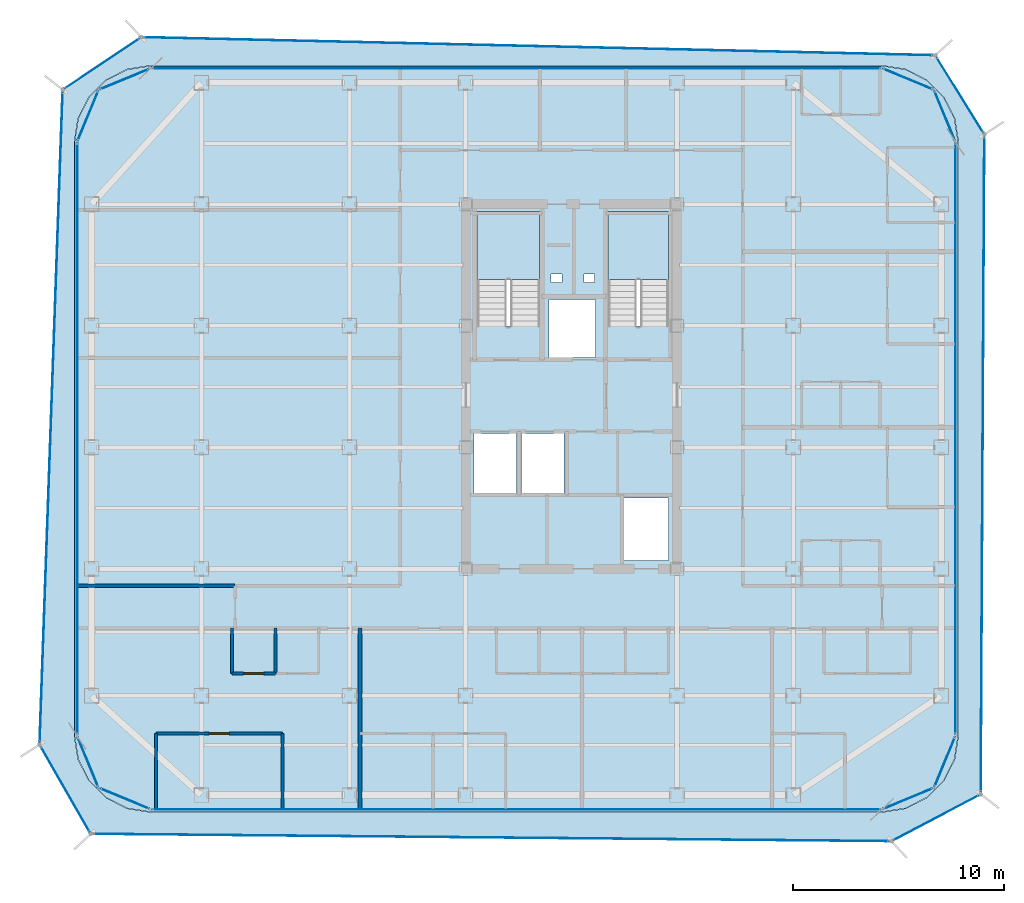
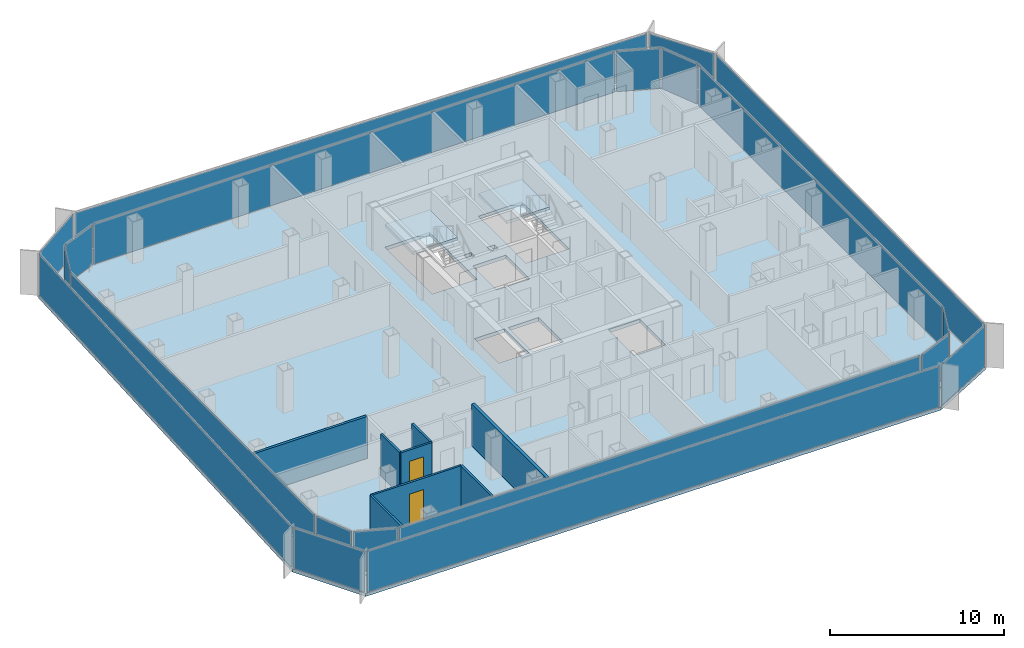
# One storey, part 9 of 16: 20 plates, 8 walls, 4 slabs, 2 doors, 2 openings, 22 elements without a shape of their own.
"""IFC4 building model written with IfcOpenShell, lengths in metres."""

from ifc_helpers import new_model, si_unit, direction, frame, frame_2d, origin, origin_2d, place, context, subcontext, project, spatial, polyline, rectangle, outline, extrude, source, transform, mapped, material, layer, layer_set, type_object, element, fill, aggregate, save


model = new_model("IFC4")

# Units and contexts
model_context = context("Model", 3, precision=1e-05, world=origin(), true_north=direction((0.0, 1.0)))
body_context = subcontext(model_context, "Body", "Model", "MODEL_VIEW")
ifc_project = project(units=[si_unit("LENGTHUNIT", "METRE"), si_unit("AREAUNIT", "SQUARE_METRE"), si_unit("VOLUMEUNIT", "CUBIC_METRE"), si_unit("PLANEANGLEUNIT", "RADIAN"), si_unit("MASSUNIT", "GRAM", prefix="KILO")], contexts=[model_context])

# Site, building, storey
site_placement = place(None, origin())
site = spatial("IfcSite", under=ifc_project, at=site_placement, CompositionType="ELEMENT")
building_placement = place(site_placement, origin())
building = spatial("IfcBuilding", under=site, at=building_placement, Name="Kolveth Station Tower", CompositionType="ELEMENT")
storey_placement = place(building_placement, frame((0.0, 0.0, 178.5)))
storey = spatial("IfcBuildingStorey", under=building, at=storey_placement, Name="L50", CompositionType="ELEMENT", Elevation=178.5)

# Slab
ifc_material_1 = material(Name="Concrete C40/50", Category="concrete")
ifc_layer_1 = layer(ifc_material_1, 0.25)
ifc_layer_set_1 = layer_set([ifc_layer_1], Name="Concrete C40/50")
slab_type_1 = type_object("IfcSlabType", Name="Slab_SF-250", PredefinedType="FLOOR", material=ifc_layer_set_1)
slab_1_placement = place(storey_placement, frame((0.0, 0.0, -0.25)))
element("IfcSlab", 1, at=slab_1_placement, inside=storey, type_object=slab_type_1, Name="L50 Tower Structural Floor Slab", PredefinedType="FLOOR", context=body_context, shape_type="SweptSolid", body=[
    extrude(outline(polyline([(38.199951171875, 0.0), (39.3125, 0.17626953125), (40.31591796875, 0.6875), (41.112548828125, 1.48388671875), (41.623779296875, 2.487548828125), (41.800048828125, 3.60009765625), (41.800048828125, 31.699951171875), (41.623779296875, 32.8125), (41.112548828125, 33.81591796875), (40.31591796875, 34.612548828125), (39.3125, 35.123779296875), (38.199951171875, 35.300048828125), (3.60009765625, 35.300048828125), (2.487548828125, 35.123779296875), (1.48388671875, 34.612548828125), (0.6875, 33.81591796875), (0.17626953125, 32.8125), (0.0, 31.699951171875), (0.0, 3.60009765625), (0.17626953125, 2.487548828125), (0.6875, 1.48388671875), (1.48388671875, 0.6875), (2.487548828125, 0.17626953125), (3.60009765625, 0.0), (38.199951171875, 0.0)]), holes=[polyline([(19.0400390625, 22.985107421875), (22.0, 22.985107421875), (22.0, 28.39990234375), (19.0400390625, 28.39990234375), (19.0400390625, 22.985107421875)]), polyline([(25.239990234375, 22.985107421875), (28.10009765625, 22.985107421875), (28.10009765625, 28.39990234375), (25.239990234375, 28.39990234375), (25.239990234375, 22.985107421875)]), polyline([(18.89990234375, 15.10009765625), (20.89990234375, 15.10009765625), (20.89990234375, 17.89990234375), (18.89990234375, 17.89990234375), (18.89990234375, 15.10009765625)]), polyline([(21.14990234375, 15.10009765625), (23.14990234375, 15.10009765625), (23.14990234375, 17.89990234375), (21.14990234375, 17.89990234375), (21.14990234375, 15.10009765625)]), polyline([(22.449951171875, 21.5), (24.64990234375, 21.5), (24.64990234375, 24.25), (22.449951171875, 24.25), (22.449951171875, 21.5)]), polyline([(26.0, 11.89990234375), (28.10009765625, 11.89990234375), (28.10009765625, 14.85009765625), (26.0, 14.85009765625), (26.0, 11.89990234375)]), polyline([(22.550048828125, 25.050048828125), (23.050048828125, 25.050048828125), (23.050048828125, 25.449951171875), (22.550048828125, 25.449951171875), (22.550048828125, 25.050048828125)]), polyline([(24.10009765625, 25.050048828125), (24.60009765625, 25.050048828125), (24.60009765625, 25.449951171875), (24.10009765625, 25.449951171875), (24.10009765625, 25.050048828125)])]), origin(), (0.0, 0.0, 1.0), 0.25),
])

# Stair, slab
stair_type_1 = type_object("IfcStairType", Name="Stair_ST2", PredefinedType="HALF_TURN_STAIR", material=ifc_material_1)
stair_1_placement = place(storey_placement, origin())
stair_1 = element("IfcStair", 2, at=stair_1_placement, inside=storey, type_object=stair_type_1, Name="L50 Tower Exit Stair ST2", PredefinedType="HALF_TURN_STAIR")
ifc_layer_2 = layer(ifc_material_1, 0.18994140625)
ifc_layer_set_2 = layer_set([ifc_layer_2], Name="Concrete C40/50")
slab_type_2 = type_object("IfcSlabType", Name="Slab_SL-190", PredefinedType="LANDING", material=ifc_layer_set_2)
slab_2_placement = place(storey_placement, frame((0.0, 0.0, 1.39990234375)))
slab_2 = element("IfcSlab", 3, at=slab_2_placement, type_object=slab_type_2, Name="ST2 landing 1", PredefinedType="LANDING", context=body_context, shape_type="SweptSolid", body=[
    extrude(outline(polyline([(28.10009765625, 25.18994140625), (28.10009765625, 28.39990234375), (25.239990234375, 28.39990234375), (25.239990234375, 25.18994140625), (28.10009765625, 25.18994140625)])), origin(), (0.0, 0.0, 1.0), 0.2001953125),
])
aggregate(stair_1, [slab_2])

stair_type_2 = type_object("IfcStairType", Name="Stair_ST1", PredefinedType="HALF_TURN_STAIR", material=ifc_material_1)
stair_2_placement = place(storey_placement, origin())
stair_2 = element("IfcStair", 4, at=stair_2_placement, inside=storey, type_object=stair_type_2, Name="L50 Tower Exit Stair ST1", PredefinedType="HALF_TURN_STAIR")
ifc_layer_3 = layer(ifc_material_1, 0.205078125)
ifc_layer_set_3 = layer_set([ifc_layer_3], Name="Concrete C40/50")
slab_type_3 = type_object("IfcSlabType", Name="Slab_SL-205", PredefinedType="LANDING", material=ifc_layer_set_3)
slab_3_placement = place(storey_placement, frame((0.0, 0.0, 1.39990234375)))
slab_3 = element("IfcSlab", 5, at=slab_3_placement, type_object=slab_type_3, Name="ST1 landing 1", PredefinedType="LANDING", context=body_context, shape_type="SweptSolid", body=[
    extrude(outline(polyline([(22.0, 25.18994140625), (22.0, 28.39990234375), (19.0400390625, 28.39990234375), (19.0400390625, 25.18994140625), (22.0, 25.18994140625)])), origin(), (0.0, 0.0, 1.0), 0.2001953125),
])
aggregate(stair_2, [slab_3])

# Slab
ifc_layer_4 = layer(ifc_material_1, 0.2099609375)
ifc_layer_set_4 = layer_set([ifc_layer_4], Name="Concrete C40/50")
slab_type_4 = type_object("IfcSlabType", Name="Slab_ST-210", PredefinedType="FLOOR", material=ifc_layer_set_4)
slab_4_placement = place(storey_placement, frame((0.0, 0.0, -0.2099609375)))
element("IfcSlab", 6, at=slab_4_placement, inside=storey, type_object=slab_type_4, Name="L50 Double-Skin Cavity Structural Ledger Ring", PredefinedType="FLOOR", context=body_context, shape_type="SweptSolid", body=[
    extrude(outline(polyline([(0.768798828125, -1.038818359375), (-1.654296875, 3.189208984375), (-0.5595703125, 34.170166015625), (3.158203125, 36.651611328125), (40.721435546875, 35.79638671875), (43.04541015625, 32.059814453125), (42.875244140625, 0.83349609375), (38.64599609375, -1.387451171875), (0.768798828125, -1.038818359375)]), holes=[polyline([(38.202392578125, -0.014892578125), (39.314697265625, 0.161376953125), (39.3193359375, 0.162841796875), (40.32275390625, 0.674072265625), (40.32666015625, 0.677001953125), (41.123046875, 1.473388671875), (41.1259765625, 1.477294921875), (41.63720703125, 2.480712890625), (41.638671875, 2.485107421875), (41.814697265625, 3.59765625), (41.81494140625, 3.60009765625), (41.81494140625, 31.699951171875), (41.814697265625, 31.702392578125), (41.638671875, 32.814697265625), (41.63720703125, 32.8193359375), (41.1259765625, 33.82275390625), (41.123046875, 33.82666015625), (40.32666015625, 34.623046875), (40.32275390625, 34.6259765625), (39.3193359375, 35.13720703125), (39.314697265625, 35.138671875), (38.202392578125, 35.314697265625), (38.199951171875, 35.31494140625), (3.60009765625, 35.31494140625), (3.59765625, 35.314697265625), (2.485107421875, 35.138671875), (2.480712890625, 35.13720703125), (1.477294921875, 34.6259765625), (1.473388671875, 34.623046875), (0.677001953125, 33.82666015625), (0.674072265625, 33.82275390625), (0.162841796875, 32.8193359375), (0.161376953125, 32.814697265625), (-0.014892578125, 31.702392578125), (-0.014892578125, 31.699951171875), (-0.014892578125, 3.60009765625), (-0.014892578125, 3.59765625), (0.161376953125, 2.485107421875), (0.162841796875, 2.480712890625), (0.674072265625, 1.477294921875), (0.677001953125, 1.473388671875), (1.473388671875, 0.677001953125), (1.477294921875, 0.674072265625), (2.480712890625, 0.162841796875), (2.485107421875, 0.161376953125), (3.59765625, -0.014892578125), (3.60009765625, -0.014892578125), (38.199951171875, -0.014892578125), (38.202392578125, -0.014892578125)])]), origin(), (0.0, 0.0, 1.0), 0.2099609375),
])

# Curtain wall, plate
ifc_material_2 = material(Name="Aluminium 6063-T6 and low-E dark glass", Category="aluminium")
ifc_layer_5 = layer(ifc_material_2, 0.18994140625)
ifc_layer_set_5 = layer_set([ifc_layer_5], Name="Aluminium 6063-T6 and low-E dark glass")
curtain_wall_type_1 = type_object("IfcCurtainWallType", Name="CurtainWall_CW-Z2", PredefinedType="NOTDEFINED", material=ifc_layer_set_5)
curtain_wall_1_placement = place(storey_placement, origin())
curtain_wall_1 = element("IfcCurtainWall", 7, at=curtain_wall_1_placement, inside=storey, type_object=curtain_wall_type_1, Name="L50 Inner Thermal Curtain Wall 1", PredefinedType="NOTDEFINED")
ifc_material_3 = material(Name="Architectural low-E dark glass", Category="glass")
ifc_layer_6 = layer(ifc_material_3, 0.0380859375)
ifc_layer_set_6 = layer_set([ifc_layer_6], Name="Architectural low-E dark glass")
plate_type_1 = type_object("IfcPlateType", Name="Panel_GL2", PredefinedType="CURTAIN_PANEL", material=ifc_layer_set_6)
shared_shape_1 = source(origin(), body_context, "Body", "SweptSolid", [
    extrude(rectangle(XDim=2.517578125, YDim=0.0380859375, at=origin_2d()), origin(), (0.0, 0.0, 1.0), 2.803955078125),
])
plate_1_placement = place(storey_placement, frame((39.430419921875, 0.629638671875, 0.0732421875), z_axis=(0.0, 0.0, 1.0), x_axis=(0.923873600544, 0.382697753087, 0.0)))
plate_1 = element("IfcPlate", 8, at=plate_1_placement, type_object=plate_type_1, Name="CW-Z2 panel 1.1", PredefinedType="CURTAIN_PANEL", context=body_context, shape_type="MappedRepresentation", body=[
    mapped(shared_shape_1, transform((0.0, 0.0, 0.0), x_axis=(1.0, 0.0, 0.0), y_axis=(0.0, 1.0, 0.0), z_axis=(0.0, 0.0, 1.0), scale=1.0)),
])
aggregate(curtain_wall_1, [plate_1])

curtain_wall_2_placement = place(storey_placement, origin())
curtain_wall_2 = element("IfcCurtainWall", 9, at=curtain_wall_2_placement, inside=storey, type_object=curtain_wall_type_1, Name="L50 Inner Thermal Curtain Wall 2", PredefinedType="NOTDEFINED")
plate_2_placement = place(storey_placement, frame((41.17041015625, 2.36962890625, 0.0732421875), z_axis=(0.0, 0.0, 1.0), x_axis=(0.382697753087, 0.923873600544, 0.0)))
plate_2 = element("IfcPlate", 10, at=plate_2_placement, type_object=plate_type_1, Name="CW-Z2 panel 1.1", PredefinedType="CURTAIN_PANEL", context=body_context, shape_type="MappedRepresentation", body=[
    mapped(shared_shape_1, transform((0.0, 0.0, 0.0), x_axis=(1.0, 0.0, 0.0), y_axis=(0.0, 1.0, 0.0), z_axis=(0.0, 0.0, 1.0), scale=1.0)),
])
aggregate(curtain_wall_2, [plate_2])

curtain_wall_3_placement = place(storey_placement, origin())
curtain_wall_3 = element("IfcCurtainWall", 11, at=curtain_wall_3_placement, inside=storey, type_object=curtain_wall_type_1, Name="L50 Inner Thermal Curtain Wall 4", PredefinedType="NOTDEFINED")
plate_3_placement = place(storey_placement, frame((41.17041015625, 32.930419921875, 0.0732421875), z_axis=(0.0, 0.0, 1.0), x_axis=(-0.382697753087, 0.923873600544, 0.0)))
plate_3 = element("IfcPlate", 12, at=plate_3_placement, type_object=plate_type_1, Name="CW-Z2 panel 1.1", PredefinedType="CURTAIN_PANEL", context=body_context, shape_type="MappedRepresentation", body=[
    mapped(shared_shape_1, transform((0.0, 0.0, 0.0), x_axis=(1.0, 0.0, 0.0), y_axis=(0.0, 1.0, 0.0), z_axis=(0.0, 0.0, 1.0), scale=1.0)),
])
aggregate(curtain_wall_3, [plate_3])

curtain_wall_4_placement = place(storey_placement, origin())
curtain_wall_4 = element("IfcCurtainWall", 13, at=curtain_wall_4_placement, inside=storey, type_object=curtain_wall_type_1, Name="L50 Inner Thermal Curtain Wall 5", PredefinedType="NOTDEFINED")
plate_4_placement = place(storey_placement, frame((39.430419921875, 34.67041015625, 0.0732421875), z_axis=(0.0, 0.0, 1.0), x_axis=(-0.923873600544, 0.382697753087, 0.0)))
plate_4 = element("IfcPlate", 14, at=plate_4_placement, type_object=plate_type_1, Name="CW-Z2 panel 1.1", PredefinedType="CURTAIN_PANEL", context=body_context, shape_type="MappedRepresentation", body=[
    mapped(shared_shape_1, transform((0.0, 0.0, 0.0), x_axis=(1.0, 0.0, 0.0), y_axis=(0.0, 1.0, 0.0), z_axis=(0.0, 0.0, 1.0), scale=1.0)),
])
aggregate(curtain_wall_4, [plate_4])

curtain_wall_5_placement = place(storey_placement, origin())
curtain_wall_5 = element("IfcCurtainWall", 15, at=curtain_wall_5_placement, inside=storey, type_object=curtain_wall_type_1, Name="L50 Inner Thermal Curtain Wall 7", PredefinedType="NOTDEFINED")
plate_5_placement = place(storey_placement, frame((2.36962890625, 34.67041015625, 0.0732421875), z_axis=(0.0, 0.0, 1.0), x_axis=(-0.923873600544, -0.382697753087, 0.0)))
plate_5 = element("IfcPlate", 16, at=plate_5_placement, type_object=plate_type_1, Name="CW-Z2 panel 1.1", PredefinedType="CURTAIN_PANEL", context=body_context, shape_type="MappedRepresentation", body=[
    mapped(shared_shape_1, transform((0.0, 0.0, 0.0), x_axis=(1.0, 0.0, 0.0), y_axis=(0.0, 1.0, 0.0), z_axis=(0.0, 0.0, 1.0), scale=1.0)),
])
aggregate(curtain_wall_5, [plate_5])

curtain_wall_6_placement = place(storey_placement, origin())
curtain_wall_6 = element("IfcCurtainWall", 17, at=curtain_wall_6_placement, inside=storey, type_object=curtain_wall_type_1, Name="L50 Inner Thermal Curtain Wall 8", PredefinedType="NOTDEFINED")
plate_6_placement = place(storey_placement, frame((0.629638671875, 32.930419921875, 0.0732421875), z_axis=(0.0, 0.0, 1.0), x_axis=(-0.382697753087, -0.923873600544, 0.0)))
plate_6 = element("IfcPlate", 18, at=plate_6_placement, type_object=plate_type_1, Name="CW-Z2 panel 1.1", PredefinedType="CURTAIN_PANEL", context=body_context, shape_type="MappedRepresentation", body=[
    mapped(shared_shape_1, transform((0.0, 0.0, 0.0), x_axis=(1.0, 0.0, 0.0), y_axis=(0.0, 1.0, 0.0), z_axis=(0.0, 0.0, 1.0), scale=1.0)),
])
aggregate(curtain_wall_6, [plate_6])

curtain_wall_7_placement = place(storey_placement, origin())
curtain_wall_7 = element("IfcCurtainWall", 19, at=curtain_wall_7_placement, inside=storey, type_object=curtain_wall_type_1, Name="L50 Inner Thermal Curtain Wall 10", PredefinedType="NOTDEFINED")
plate_7_placement = place(storey_placement, frame((0.629638671875, 2.36962890625, 0.0732421875), z_axis=(0.0, 0.0, 1.0), x_axis=(0.382697753087, -0.923873600544, 0.0)))
plate_7 = element("IfcPlate", 20, at=plate_7_placement, type_object=plate_type_1, Name="CW-Z2 panel 1.1", PredefinedType="CURTAIN_PANEL", context=body_context, shape_type="MappedRepresentation", body=[
    mapped(shared_shape_1, transform((0.0, 0.0, 0.0), x_axis=(1.0, 0.0, 0.0), y_axis=(0.0, 1.0, 0.0), z_axis=(0.0, 0.0, 1.0), scale=1.0)),
])
aggregate(curtain_wall_7, [plate_7])

curtain_wall_8_placement = place(storey_placement, origin())
curtain_wall_8 = element("IfcCurtainWall", 21, at=curtain_wall_8_placement, inside=storey, type_object=curtain_wall_type_1, Name="L50 Inner Thermal Curtain Wall 11", PredefinedType="NOTDEFINED")
plate_8_placement = place(storey_placement, frame((2.36962890625, 0.629638671875, 0.0732421875), z_axis=(0.0, 0.0, 1.0), x_axis=(0.923873600544, -0.382697753087, 0.0)))
plate_8 = element("IfcPlate", 22, at=plate_8_placement, type_object=plate_type_1, Name="CW-Z2 panel 1.1", PredefinedType="CURTAIN_PANEL", context=body_context, shape_type="MappedRepresentation", body=[
    mapped(shared_shape_1, transform((0.0, 0.0, 0.0), x_axis=(1.0, 0.0, 0.0), y_axis=(0.0, 1.0, 0.0), z_axis=(0.0, 0.0, 1.0), scale=1.0)),
])
aggregate(curtain_wall_8, [plate_8])

curtain_wall_9_placement = place(storey_placement, origin())
curtain_wall_9 = element("IfcCurtainWall", 23, at=curtain_wall_9_placement, inside=storey, type_object=curtain_wall_type_1, Name="L50 Inner Thermal Curtain Wall 3", PredefinedType="NOTDEFINED")
shared_shape_2 = source(origin(), body_context, "Body", "SweptSolid", [
    extrude(rectangle(XDim=27.9541015625, YDim=0.0380859375, at=origin_2d()), origin(), (0.0, 0.0, 1.0), 2.803955078125),
])
plate_9_placement = place(storey_placement, frame((41.679931640625, 17.64990234375, 0.0732421875), z_axis=(0.0, 0.0, 1.0), x_axis=(0.0, 1.0, 0.0)))
plate_9 = element("IfcPlate", 24, at=plate_9_placement, type_object=plate_type_1, Name="CW-Z2 panel 1.1", PredefinedType="CURTAIN_PANEL", context=body_context, shape_type="MappedRepresentation", body=[
    mapped(shared_shape_2, transform((0.0, 0.0, 0.0), x_axis=(1.0, 0.0, 0.0), y_axis=(0.0, 1.0, 0.0), z_axis=(0.0, 0.0, 1.0), scale=1.0)),
])
aggregate(curtain_wall_9, [plate_9])

curtain_wall_10_placement = place(storey_placement, origin())
curtain_wall_10 = element("IfcCurtainWall", 25, at=curtain_wall_10_placement, inside=storey, type_object=curtain_wall_type_1, Name="L50 Inner Thermal Curtain Wall 9", PredefinedType="NOTDEFINED")
plate_10_placement = place(storey_placement, frame((0.1201171875, 17.64990234375, 0.0732421875), z_axis=(0.0, 0.0, 1.0), x_axis=(0.0, -1.0, 0.0)))
plate_10 = element("IfcPlate", 26, at=plate_10_placement, type_object=plate_type_1, Name="CW-Z2 panel 1.1", PredefinedType="CURTAIN_PANEL", context=body_context, shape_type="MappedRepresentation", body=[
    mapped(shared_shape_2, transform((0.0, 0.0, 0.0), x_axis=(1.0, 0.0, 0.0), y_axis=(0.0, 1.0, 0.0), z_axis=(0.0, 0.0, 1.0), scale=1.0)),
])
aggregate(curtain_wall_10, [plate_10])

curtain_wall_11_placement = place(storey_placement, origin())
curtain_wall_11 = element("IfcCurtainWall", 27, at=curtain_wall_11_placement, inside=storey, type_object=curtain_wall_type_1, Name="L50 Inner Thermal Curtain Wall 6", PredefinedType="NOTDEFINED")
shared_shape_3 = source(origin(), body_context, "Body", "SweptSolid", [
    extrude(rectangle(XDim=34.4541015625, YDim=0.0380859375, at=origin_2d()), origin(), (0.0, 0.0, 1.0), 2.803955078125),
])
plate_11_placement = place(storey_placement, frame((20.89990234375, 35.179931640625, 0.0732421875), z_axis=(0.0, 0.0, 1.0), x_axis=(-1.0, 0.0, 0.0)))
plate_11 = element("IfcPlate", 28, at=plate_11_placement, type_object=plate_type_1, Name="CW-Z2 panel 1.1", PredefinedType="CURTAIN_PANEL", context=body_context, shape_type="MappedRepresentation", body=[
    mapped(shared_shape_3, transform((0.0, 0.0, 0.0), x_axis=(1.0, 0.0, 0.0), y_axis=(0.0, 1.0, 0.0), z_axis=(0.0, 0.0, 1.0), scale=1.0)),
])
aggregate(curtain_wall_11, [plate_11])

curtain_wall_12_placement = place(storey_placement, origin())
curtain_wall_12 = element("IfcCurtainWall", 29, at=curtain_wall_12_placement, inside=storey, type_object=curtain_wall_type_1, Name="L50 Inner Thermal Curtain Wall 12", PredefinedType="NOTDEFINED")
plate_12_placement = place(storey_placement, frame((20.89990234375, 0.1201171875, 0.0732421875), z_axis=(0.0, 0.0, 1.0), x_axis=(1.0, 0.0, 0.0)))
plate_12 = element("IfcPlate", 30, at=plate_12_placement, type_object=plate_type_1, Name="CW-Z2 panel 1.1", PredefinedType="CURTAIN_PANEL", context=body_context, shape_type="MappedRepresentation", body=[
    mapped(shared_shape_3, transform((0.0, 0.0, 0.0), x_axis=(1.0, 0.0, 0.0), y_axis=(0.0, 1.0, 0.0), z_axis=(0.0, 0.0, 1.0), scale=1.0)),
])
aggregate(curtain_wall_12, [plate_12])

ifc_material_4 = material(Name="Black anodized aluminium 6063-T6 and dark solar glass", Category="aluminium")
ifc_layer_7 = layer(ifc_material_4, 0.159912109375)
ifc_layer_set_7 = layer_set([ifc_layer_7], Name="Black anodized aluminium 6063-T6 and dark solar glass")
curtain_wall_type_2 = type_object("IfcCurtainWallType", Name="OUTER SKIN CW-OS", PredefinedType="NOTDEFINED", material=ifc_layer_set_7)
curtain_wall_13_placement = place(storey_placement, origin())
curtain_wall_13 = element("IfcCurtainWall", 31, at=curtain_wall_13_placement, inside=storey, type_object=curtain_wall_type_2, Name="L50 Outer Ventilated Skin Curtain Wall 1", PredefinedType="NOTDEFINED")
ifc_layer_8 = layer(ifc_material_3, 0.028076171875)
ifc_layer_set_8 = layer_set([ifc_layer_8], Name="Architectural low-E dark glass")
plate_type_2 = type_object("IfcPlateType", Name="Panel_GL-OS", PredefinedType="CURTAIN_PANEL", material=ifc_layer_set_8)
shared_shape_4 = source(origin(), body_context, "Body", "SweptSolid", [
    extrude(rectangle(XDim=4.61083984375, YDim=0.028076171875, at=origin_2d()), origin(), (0.0, 0.0, 1.0), 2.843994140625),
])
plate_13_placement = place(storey_placement, frame((40.7607421875, -0.27685546875, 0.0732421875), z_axis=(0.0, 0.0, 1.0), x_axis=(0.885327028172, 0.464968873353, 0.0)))
plate_13 = element("IfcPlate", 32, at=plate_13_placement, type_object=plate_type_2, Name="CW-OS panel 1.1", PredefinedType="CURTAIN_PANEL", context=body_context, shape_type="MappedRepresentation", body=[
    mapped(shared_shape_4, transform((0.0, 0.0, 0.0), x_axis=(1.0, 0.0, 0.0), y_axis=(0.0, 1.0, 0.0), z_axis=(0.0, 0.0, 1.0), scale=1.0)),
])
aggregate(curtain_wall_13, [plate_13])

curtain_wall_14_placement = place(storey_placement, origin())
curtain_wall_14 = element("IfcCurtainWall", 33, at=curtain_wall_14_placement, inside=storey, type_object=curtain_wall_type_2, Name="L50 Outer Ventilated Skin Curtain Wall 2", PredefinedType="NOTDEFINED")
shared_shape_5 = source(origin(), body_context, "Body", "SweptSolid", [
    extrude(rectangle(XDim=31.060546875, YDim=0.028076171875, at=origin_2d()), origin(), (0.0, 0.0, 1.0), 2.843994140625),
])
plate_14_placement = place(storey_placement, frame((42.960205078125, 16.446533203125, 0.0732421875), z_axis=(0.0, 0.0, 1.0), x_axis=(0.005450487634, 0.999985145982, 0.0)))
plate_14 = element("IfcPlate", 34, at=plate_14_placement, type_object=plate_type_2, Name="CW-OS panel 1.1", PredefinedType="CURTAIN_PANEL", context=body_context, shape_type="MappedRepresentation", body=[
    mapped(shared_shape_5, transform((0.0, 0.0, 0.0), x_axis=(1.0, 0.0, 0.0), y_axis=(0.0, 1.0, 0.0), z_axis=(0.0, 0.0, 1.0), scale=1.0)),
])
aggregate(curtain_wall_14, [plate_14])

curtain_wall_15_placement = place(storey_placement, origin())
curtain_wall_15 = element("IfcCurtainWall", 35, at=curtain_wall_15_placement, inside=storey, type_object=curtain_wall_type_2, Name="L50 Outer Ventilated Skin Curtain Wall 3", PredefinedType="NOTDEFINED")
shared_shape_6 = source(origin(), body_context, "Body", "SweptSolid", [
    extrude(rectangle(XDim=4.234375, YDim=0.028076171875, at=origin_2d()), origin(), (0.0, 0.0, 1.0), 2.843994140625),
])
plate_15_placement = place(storey_placement, frame((41.88330078125, 33.927978515625, 0.0732421875), z_axis=(0.0, 0.0, 1.0), x_axis=(-0.528138778258, 0.849158071798, 0.0)))
plate_15 = element("IfcPlate", 36, at=plate_15_placement, type_object=plate_type_2, Name="CW-OS panel 1.1", PredefinedType="CURTAIN_PANEL", context=body_context, shape_type="MappedRepresentation", body=[
    mapped(shared_shape_6, transform((0.0, 0.0, 0.0), x_axis=(1.0, 0.0, 0.0), y_axis=(0.0, 1.0, 0.0), z_axis=(0.0, 0.0, 1.0), scale=1.0)),
])
aggregate(curtain_wall_15, [plate_15])

curtain_wall_16_placement = place(storey_placement, origin())
curtain_wall_16 = element("IfcCurtainWall", 37, at=curtain_wall_16_placement, inside=storey, type_object=curtain_wall_type_2, Name="L50 Outer Ventilated Skin Curtain Wall 4", PredefinedType="NOTDEFINED")
shared_shape_7 = source(origin(), body_context, "Body", "SweptSolid", [
    extrude(rectangle(XDim=37.406982421875, YDim=0.028076171875, at=origin_2d()), origin(), (0.0, 0.0, 1.0), 2.843994140625),
])
plate_16_placement = place(storey_placement, frame((21.939697265625, 36.22412109375, 0.0732421875), z_axis=(0.0, 0.0, 1.0), x_axis=(-0.999740812257, 0.022766385466, 0.0)))
plate_16 = element("IfcPlate", 38, at=plate_16_placement, type_object=plate_type_2, Name="CW-OS panel 1.1", PredefinedType="CURTAIN_PANEL", context=body_context, shape_type="MappedRepresentation", body=[
    mapped(shared_shape_7, transform((0.0, 0.0, 0.0), x_axis=(1.0, 0.0, 0.0), y_axis=(0.0, 1.0, 0.0), z_axis=(0.0, 0.0, 1.0), scale=1.0)),
])
aggregate(curtain_wall_16, [plate_16])

curtain_wall_17_placement = place(storey_placement, origin())
curtain_wall_17 = element("IfcCurtainWall", 39, at=curtain_wall_17_placement, inside=storey, type_object=curtain_wall_type_2, Name="L50 Outer Ventilated Skin Curtain Wall 5", PredefinedType="NOTDEFINED")
shared_shape_8 = source(origin(), body_context, "Body", "SweptSolid", [
    extrude(rectangle(XDim=4.303955078125, YDim=0.028076171875, at=origin_2d()), origin(), (0.0, 0.0, 1.0), 2.843994140625),
])
plate_17_placement = place(storey_placement, frame((1.29931640625, 35.410888671875, 0.0732421875), z_axis=(0.0, 0.0, 1.0), x_axis=(-0.831743844031, -0.555159596798, 0.0)))
plate_17 = element("IfcPlate", 40, at=plate_17_placement, type_object=plate_type_2, Name="CW-OS panel 1.1", PredefinedType="CURTAIN_PANEL", context=body_context, shape_type="MappedRepresentation", body=[
    mapped(shared_shape_8, transform((0.0, 0.0, 0.0), x_axis=(1.0, 0.0, 0.0), y_axis=(0.0, 1.0, 0.0), z_axis=(0.0, 0.0, 1.0), scale=1.0)),
])
aggregate(curtain_wall_17, [plate_17])

curtain_wall_18_placement = place(storey_placement, origin())
curtain_wall_18 = element("IfcCurtainWall", 41, at=curtain_wall_18_placement, inside=storey, type_object=curtain_wall_type_2, Name="L50 Outer Ventilated Skin Curtain Wall 6", PredefinedType="NOTDEFINED")
shared_shape_9 = source(origin(), body_context, "Body", "SweptSolid", [
    extrude(rectangle(XDim=30.834228515625, YDim=0.028076171875, at=origin_2d()), origin(), (0.0, 0.0, 1.0), 2.843994140625),
])
plate_18_placement = place(storey_placement, frame((-1.10693359375, 18.6796875, 0.0732421875), z_axis=(0.0, 0.0, 1.0), x_axis=(-0.035309300622, -0.999376432226, 0.0)))
plate_18 = element("IfcPlate", 42, at=plate_18_placement, type_object=plate_type_2, Name="CW-OS panel 1.1", PredefinedType="CURTAIN_PANEL", context=body_context, shape_type="MappedRepresentation", body=[
    mapped(shared_shape_9, transform((0.0, 0.0, 0.0), x_axis=(1.0, 0.0, 0.0), y_axis=(0.0, 1.0, 0.0), z_axis=(0.0, 0.0, 1.0), scale=1.0)),
])
aggregate(curtain_wall_18, [plate_18])

curtain_wall_19_placement = place(storey_placement, origin())
curtain_wall_19 = element("IfcCurtainWall", 43, at=curtain_wall_19_placement, inside=storey, type_object=curtain_wall_type_2, Name="L50 Outer Ventilated Skin Curtain Wall 7", PredefinedType="NOTDEFINED")
shared_shape_10 = source(origin(), body_context, "Body", "SweptSolid", [
    extrude(rectangle(XDim=4.707275390625, YDim=0.028076171875, at=origin_2d()), origin(), (0.0, 0.0, 1.0), 2.843994140625),
])
plate_19_placement = place(storey_placement, frame((-0.442626953125, 1.0751953125, 0.0732421875), z_axis=(0.0, 0.0, 1.0), x_axis=(0.497212572018, -0.867628755994, 0.0)))
plate_19 = element("IfcPlate", 44, at=plate_19_placement, type_object=plate_type_2, Name="CW-OS panel 1.1", PredefinedType="CURTAIN_PANEL", context=body_context, shape_type="MappedRepresentation", body=[
    mapped(shared_shape_10, transform((0.0, 0.0, 0.0), x_axis=(1.0, 0.0, 0.0), y_axis=(0.0, 1.0, 0.0), z_axis=(0.0, 0.0, 1.0), scale=1.0)),
])
aggregate(curtain_wall_19, [plate_19])

curtain_wall_20_placement = place(storey_placement, origin())
curtain_wall_20 = element("IfcCurtainWall", 45, at=curtain_wall_20_placement, inside=storey, type_object=curtain_wall_type_2, Name="L50 Outer Ventilated Skin Curtain Wall 8", PredefinedType="NOTDEFINED")
shared_shape_11 = source(origin(), body_context, "Body", "SweptSolid", [
    extrude(rectangle(XDim=37.712890625, YDim=0.028076171875, at=origin_2d()), origin(), (0.0, 0.0, 1.0), 2.843994140625),
])
plate_20_placement = place(storey_placement, frame((19.70751953125, -1.213134765625, 0.0732421875), z_axis=(0.0, 0.0, 1.0), x_axis=(0.999957651391, -0.009203011757, 0.0)))
plate_20 = element("IfcPlate", 46, at=plate_20_placement, type_object=plate_type_2, Name="CW-OS panel 1.1", PredefinedType="CURTAIN_PANEL", context=body_context, shape_type="MappedRepresentation", body=[
    mapped(shared_shape_11, transform((0.0, 0.0, 0.0), x_axis=(1.0, 0.0, 0.0), y_axis=(0.0, 1.0, 0.0), z_axis=(0.0, 0.0, 1.0), scale=1.0)),
])
aggregate(curtain_wall_20, [plate_20])

# Wall, opening, door
ifc_material_5 = material(Name="Moisture-resistant gypsum partition")
ifc_layer_9 = layer(ifc_material_5, 0.135009765625)
ifc_layer_set_9 = layer_set([ifc_layer_9], Name="Moisture-resistant gypsum partition")
wall_type_1 = type_object("IfcWallType", Name="Wall_IW-135", PredefinedType="PARTITIONING", material=ifc_layer_set_9)
wall_1_placement = place(storey_placement, frame((7.449951171875, 6.550048828125, 0.0), z_axis=(0.0, 0.0, 1.0), x_axis=(1.0, 0.0, 0.0)))
wall_1 = element("IfcWall", 47, at=wall_1_placement, inside=storey, type_object=wall_type_1, Name="L50 Partition Wall WL-L50-A1-IBHK", PredefinedType="PARTITIONING", context=body_context, shape_type="SweptSolid", body=[
    extrude(rectangle(XDim=2.050048828125, YDim=0.135009765625, at=frame_2d((1.02490234375, 0.0))), origin(), (0.0, 0.0, 1.0), 2.949951171875),
])
opening_1_placement = place(wall_1_placement, frame((0.544921875, 0.0, 0.0)))
opening_1 = element("IfcOpeningElement", 48, at=opening_1_placement, cuts=wall_1, Name="Opening ID1", PredefinedType="OPENING", context=body_context, shape_type="SweptSolid", body=[
    extrude(rectangle(XDim=0.949951171875, YDim=2.14990234375, at=frame_2d((0.47509765625, 1.074951171875))), frame((0.0, 0.077392578125, 0.0), z_axis=(0.0, -1.0, 0.0), x_axis=(1.0, 0.0, 0.0)), (0.0, 0.0, 1.0), 0.155029296875),
])
ifc_material_6 = material(Name="Acoustic hardwood leaf and aluminium frame", Category="wood")
door_type = type_object("IfcDoorType", Name="Door_ID1", OperationType="NOTDEFINED", PredefinedType="DOOR", material=ifc_material_6)
door_1_placement = place(opening_1_placement, origin())
door_1 = element("IfcDoor", 49, at=door_1_placement, inside=storey, type_object=door_type, Name="Penthouse Flat L50-A1 Kitchen Door", OperationType="SINGLE_SWING_LEFT", OverallHeight=2.14990234375, OverallWidth=0.949951171875, PredefinedType="DOOR", context=body_context, shape_type="SweptSolid", body=[
    extrude(rectangle(XDim=0.949951171875, YDim=2.14990234375, at=frame_2d((0.47509765625, 1.074951171875))), frame((0.0, 0.02490234375, 0.0), z_axis=(0.0, -1.0, 0.0), x_axis=(1.0, 0.0, 0.0)), (0.0, 0.0, 1.0), 0.050048828125),
])
fill(opening_1, door_1)

# Walls
for number, where, z_axis, x_axis, name in (
    (50, (7.449951171875, 6.550048828125, 0.0), (0.0, 0.0, 1.0), (0.0, 1.0, 0.0), "L50 Partition Wall WL-L50-A1-IBV0"),
    (51, (9.5, 6.550048828125, 0.0), (0.0, 0.0, 1.0), (0.0, 1.0, 0.0), "L50 Partition Wall WL-L50-A1-IBV1"),
):
    element("IfcWall", number, at=place(storey_placement, frame(where, z_axis=z_axis, x_axis=x_axis)), inside=storey, type_object=wall_type_1, Name=name, PredefinedType="PARTITIONING", context=body_context, shape_type="SweptSolid", body=[
        extrude(rectangle(XDim=2.14990234375, YDim=0.135009765625, at=frame_2d((1.074951171875, 0.0))), origin(), (0.0, 0.0, 1.0), 2.949951171875),
    ])
for number, where, z_axis, x_axis, name in (
    (52, (3.85009765625, 0.159912109375, 0.0), (0.0, 0.0, 1.0), (0.0, 1.0, 0.0), "L50 Partition Wall WL-L50-A1-BDV0"),
    (53, (9.8330078125, 0.159912109375, 0.0), (0.0, 0.0, 1.0), (0.0, 1.0, 0.0), "L50 Partition Wall WL-L50-A1-BDVE"),
):
    element("IfcWall", number, at=place(storey_placement, frame(where, z_axis=z_axis, x_axis=x_axis)), inside=storey, type_object=wall_type_1, Name=name, PredefinedType="PARTITIONING", context=body_context, shape_type="SweptSolid", body=[
        extrude(rectangle(XDim=3.550048828125, YDim=0.135009765625, at=frame_2d((1.77490234375, 0.0))), origin(), (0.0, 0.0, 1.0), 2.949951171875),
    ])

# Wall, opening, door
wall_2_placement = place(storey_placement, frame((3.85009765625, 3.7099609375, 0.0), z_axis=(0.0, 0.0, 1.0), x_axis=(1.0, 0.0, 0.0)))
wall_2 = element("IfcWall", 54, at=wall_2_placement, inside=storey, type_object=wall_type_1, Name="L50 Partition Wall WL-L50-A1-BDH1", PredefinedType="PARTITIONING", context=body_context, shape_type="SweptSolid", body=[
    extrude(rectangle(XDim=5.98291015625, YDim=0.135009765625, at=frame_2d((2.991455078125, 0.0))), origin(), (0.0, 0.0, 1.0), 2.949951171875),
])
opening_2_placement = place(wall_2_placement, frame((2.510986328125, 0.0, 0.0)))
opening_2 = element("IfcOpeningElement", 55, at=opening_2_placement, cuts=wall_2, Name="Opening ID1", PredefinedType="OPENING", context=body_context, shape_type="SweptSolid", body=[
    extrude(rectangle(XDim=0.949951171875, YDim=2.14990234375, at=frame_2d((0.47509765625, 1.074951171875))), frame((0.0, 0.077392578125, 0.0), z_axis=(0.0, -1.0, 0.0), x_axis=(1.0, 0.0, 0.0)), (0.0, 0.0, 1.0), 0.155029296875),
])
door_2_placement = place(opening_2_placement, frame((0.949951171875, 0.0, 0.0), z_axis=(0.0, 0.0, 1.0), x_axis=(-1.0, 0.0, 0.0)))
door_2 = element("IfcDoor", 56, at=door_2_placement, inside=storey, type_object=door_type, Name="Penthouse Flat L50-A1 Bedroom 1 Door", OperationType="SINGLE_SWING_LEFT", OverallHeight=2.14990234375, OverallWidth=0.949951171875, PredefinedType="DOOR", context=body_context, shape_type="SweptSolid", body=[
    extrude(rectangle(XDim=0.949951171875, YDim=2.14990234375, at=frame_2d((0.47509765625, 1.074951171875))), frame((0.0, 0.02490234375, 0.0), z_axis=(0.0, -1.0, 0.0), x_axis=(1.0, 0.0, 0.0)), (0.0, 0.0, 1.0), 0.050048828125),
])
fill(opening_2, door_2)

# Walls
ifc_material_7 = material(Name="Acoustic double-stud gypsum partition")
ifc_layer_10 = layer(ifc_material_7, 0.1650390625)
ifc_layer_set_10 = layer_set([ifc_layer_10], Name="Acoustic double-stud gypsum partition")
wall_type_2 = type_object("IfcWallType", Name="Wall_IW-165", PredefinedType="PARTITIONING", material=ifc_layer_set_10)
wall_3_placement = place(storey_placement, frame((0.159912109375, 10.699951171875, 0.0), z_axis=(0.0, 0.0, 1.0), x_axis=(1.0, 0.0, 0.0)))
element("IfcWall", 57, at=wall_3_placement, inside=storey, type_object=wall_type_2, Name="L50 Partition Wall WL-L50-WSTN", PredefinedType="PARTITIONING", context=body_context, shape_type="SweptSolid", body=[
    extrude(rectangle(XDim=7.440185546875, YDim=0.1650390625, at=frame_2d((3.72021484375, 0.0))), origin(), (0.0, 0.0, 1.0), 2.949951171875),
])
ifc_material_8 = material(Name="Acoustic fire-rated gypsum blockwork", Category="masonry")
ifc_layer_11 = layer(ifc_material_8, 0.199951171875)
ifc_layer_set_11 = layer_set([ifc_layer_11], Name="Acoustic fire-rated gypsum blockwork")
wall_type_3 = type_object("IfcWallType", Name="Wall_IW-200", PredefinedType="PARTITIONING", material=ifc_layer_set_11)
wall_4_placement = place(storey_placement, frame((13.5, 0.159912109375, 0.0), z_axis=(0.0, 0.0, 1.0), x_axis=(0.0, 1.0, 0.0)))
element("IfcWall", 58, at=wall_4_placement, inside=storey, type_object=wall_type_3, Name="L50 Partition Wall WL-L50-RSU-1", PredefinedType="PARTITIONING", context=body_context, shape_type="SweptSolid", body=[
    extrude(rectangle(XDim=8.5400390625, YDim=0.199951171875, at=frame_2d((4.27001953125, 0.0))), origin(), (0.0, 0.0, 1.0), 2.949951171875),
])

save(model, "model.ifc")
